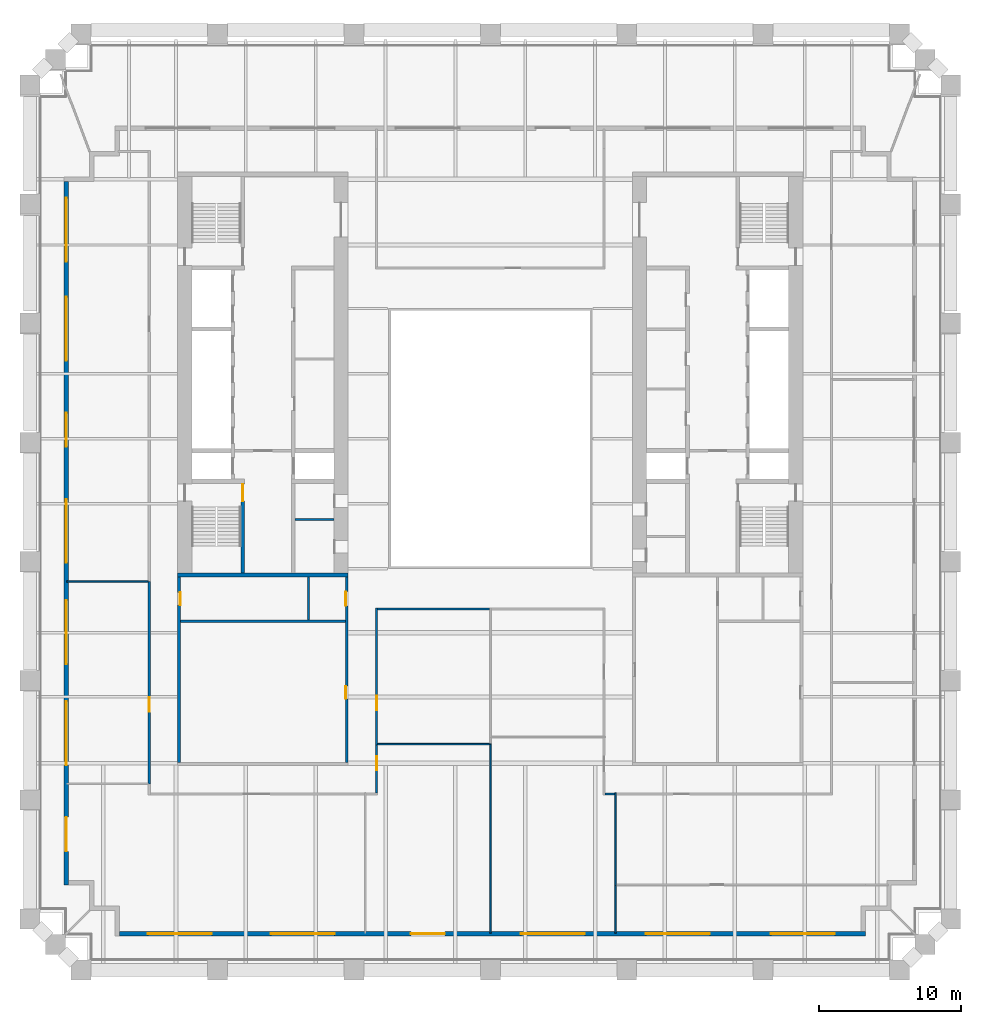
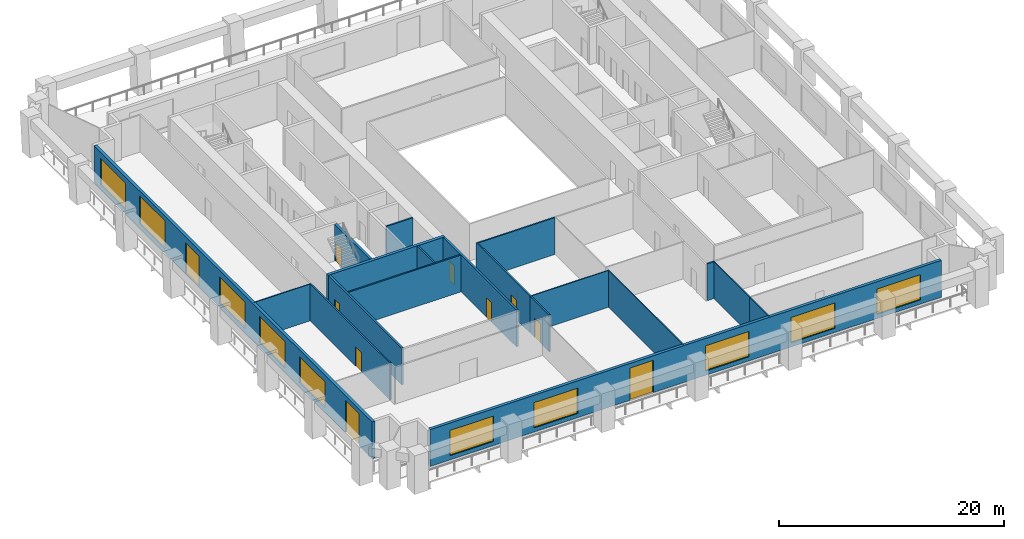
# One storey, part 3 of 8: 19 walls, 10 doors, 10 windows, 20 openings.
"""IFC4 building model written with IfcOpenShell, lengths in metres."""

from ifc_helpers import new_model, si_unit, direction, frame, frame_2d, origin, place, context, subcontext, project, spatial, rectangle, extrude, material, layer, layer_set, type_object, element, fill, save


model = new_model("IFC4")

# Units and contexts
model_context = context("Model", 3, precision=1e-05, world=origin(), true_north=direction((0.0, 1.0)))
body_context = subcontext(model_context, "Body", "Model", "MODEL_VIEW")
ifc_project = project(units=[si_unit("LENGTHUNIT", "METRE"), si_unit("AREAUNIT", "SQUARE_METRE"), si_unit("VOLUMEUNIT", "CUBIC_METRE"), si_unit("PLANEANGLEUNIT", "RADIAN"), si_unit("MASSUNIT", "GRAM", prefix="KILO")], contexts=[model_context])

# Site, building, storey
site_placement = place(None, origin())
site = spatial("IfcSite", under=ifc_project, at=site_placement, CompositionType="ELEMENT")
building_placement = place(site_placement, origin())
building = spatial("IfcBuilding", under=site, at=building_placement, Name="Ogive Exchange Tower", CompositionType="ELEMENT")
storey_placement = place(building_placement, frame((0.0, 0.0, 77.39990234375)))
storey = spatial("IfcBuildingStorey", under=building, at=storey_placement, Name="L16", CompositionType="ELEMENT", Elevation=77.39990234375)

# Walls
ifc_material_1 = material(Name="Gypsum board partition")
ifc_layer_1 = layer(ifc_material_1, 0.14990234375)
ifc_layer_set_1 = layer_set([ifc_layer_1], Name="Core room partition 150 gypsum")
wall_type_1 = type_object("IfcWallType", Name="Core room partition 150 gypsum", PredefinedType="PARTITIONING", material=ifc_layer_set_1)
wall_1_placement = place(storey_placement, frame((-13.75, 1.300048828125, 0.0), z_axis=(0.0, 0.0, 1.0), x_axis=(1.0, 0.0, 0.0)))
element("IfcWall", 1, at=wall_1_placement, inside=storey, type_object=wall_type_1, Name="W south room partition", PredefinedType="PARTITIONING", context=body_context, shape_type="SweptSolid", body=[
    extrude(rectangle(XDim=2.75, YDim=0.14990234375, at=frame_2d((1.375, 0.0))), origin(), (0.0, 0.0, 1.0), 4.0),
])
wall_2_placement = place(storey_placement, frame((-21.800048828125, -5.85009765625, 0.0), z_axis=(0.0, 0.0, 1.0), x_axis=(1.0, 0.0, 0.0)))
element("IfcWall", 2, at=wall_2_placement, inside=storey, type_object=wall_type_1, Name="W annex S wc strip wall 00", PredefinedType="PARTITIONING", context=body_context, shape_type="SweptSolid", body=[
    extrude(rectangle(XDim=11.60009765625, YDim=0.14990234375, at=frame_2d((5.800048828125, 0.0))), origin(), (0.0, 0.0, 1.0), 4.0),
])
wall_3_placement = place(storey_placement, frame((-12.800048828125, -5.77490234375, 0.0), z_axis=(0.0, 0.0, 1.0), x_axis=(0.0, 1.0, 0.0)))
element("IfcWall", 3, at=wall_3_placement, inside=storey, type_object=wall_type_1, Name="W annex S wc partition 00", PredefinedType="PARTITIONING", context=body_context, shape_type="SweptSolid", body=[
    extrude(rectangle(XDim=3.02490234375, YDim=0.14990234375, at=frame_2d((1.512451171875, 0.0))), origin(), (0.0, 0.0, 1.0), 4.0),
])

# Wall, opening, door
ifc_material_2 = material(Name="Fire partition EI 60 150")
ifc_layer_2 = layer(ifc_material_2, 0.14990234375)
ifc_layer_set_2 = layer_set([ifc_layer_2], Name="Fire partition EI 60 150")
wall_type_2 = type_object("IfcWallType", Name="Fire partition EI 60 150", PredefinedType="PARTITIONING", material=ifc_layer_set_2)
wall_4_placement = place(storey_placement, frame((-24.0, -17.2900390625, 0.0), z_axis=(0.0, 0.0, 1.0), x_axis=(0.0, 1.0, 0.0)))
wall_4 = element("IfcWall", 4, at=wall_4_placement, inside=storey, type_object=wall_type_2, Name="L16-PWL-003", PredefinedType="PARTITIONING", context=body_context, shape_type="SweptSolid", body=[
    extrude(rectangle(XDim=14.22998046875, YDim=0.14990234375, at=frame_2d((7.114990234375, 0.0))), origin(), (0.0, 0.0, 1.0), 4.0),
])
opening_1_placement = place(wall_4_placement, frame((5.080078125, 0.0, 0.0)))
opening_1 = element("IfcOpeningElement", 5, at=opening_1_placement, cuts=wall_4, Name="Opening L16-I11", PredefinedType="OPENING", context=body_context, shape_type="SweptSolid", body=[
    extrude(rectangle(XDim=1.0, YDim=2.10009765625, at=frame_2d((0.5, 1.050048828125))), frame((0.0, 0.0849609375, 0.0), z_axis=(0.0, -1.0, 0.0), x_axis=(1.0, 0.0, 0.0)), (0.0, 0.0, 1.0), 0.169921875),
])
ifc_material_3 = material(Name="Fire door FD 30S 1000 x 2100")
door_type_1 = type_object("IfcDoorType", Name="Fire door FD 30S 1000 x 2100", OperationType="NOTDEFINED", PredefinedType="DOOR", material=ifc_material_3)
door_1_placement = place(opening_1_placement, origin())
door_1 = element("IfcDoor", 6, at=door_1_placement, inside=storey, type_object=door_type_1, Name="L16-IDR-011", ObjectType="DT3", OperationType="SINGLE_SWING_LEFT", OverallHeight=2.10009765625, OverallWidth=1.0, PredefinedType="DOOR", context=body_context, shape_type="SweptSolid", body=[
    extrude(rectangle(XDim=1.0, YDim=2.10009765625, at=frame_2d((0.5, 1.050048828125))), frame((0.0, 0.02490234375, 0.0), z_axis=(0.0, -1.0, 0.0), x_axis=(1.0, 0.0, 0.0)), (0.0, 0.0, 1.0), 0.050048828125),
])
fill(opening_1, door_1)

wall_5_placement = place(storey_placement, frame((-8.0, -14.550048828125, 0.0), z_axis=(0.0, 0.0, 1.0), x_axis=(0.0, -1.0, 0.0)))
wall_5 = element("IfcWall", 7, at=wall_5_placement, inside=storey, type_object=wall_type_2, Name="L16-PWL-011", PredefinedType="PARTITIONING", context=body_context, shape_type="SweptSolid", body=[
    extrude(rectangle(XDim=3.375, YDim=0.14990234375, at=frame_2d((1.6875, 0.0))), origin(), (0.0, 0.0, 1.0), 4.0),
])
opening_2_placement = place(wall_5_placement, frame((0.800048828125, 0.0, 0.0)))
opening_2 = element("IfcOpeningElement", 8, at=opening_2_placement, cuts=wall_5, Name="Opening L16-I08", PredefinedType="OPENING", context=body_context, shape_type="SweptSolid", body=[
    extrude(rectangle(XDim=1.0, YDim=2.10009765625, at=frame_2d((0.5, 1.050048828125))), frame((0.0, 0.0849609375, 0.0), z_axis=(0.0, -1.0, 0.0), x_axis=(1.0, 0.0, 0.0)), (0.0, 0.0, 1.0), 0.169921875),
])
door_2_placement = place(opening_2_placement, origin())
door_2 = element("IfcDoor", 9, at=door_2_placement, inside=storey, type_object=door_type_1, Name="L16-IDR-008", ObjectType="DT3", OperationType="SINGLE_SWING_RIGHT", OverallHeight=2.10009765625, OverallWidth=1.0, PredefinedType="DOOR", context=body_context, shape_type="SweptSolid", body=[
    extrude(rectangle(XDim=1.0, YDim=2.10009765625, at=frame_2d((0.5, 1.050048828125))), frame((0.0, 0.02490234375, 0.0), z_axis=(0.0, -1.0, 0.0), x_axis=(1.0, 0.0, 0.0)), (0.0, 0.0, 1.0), 0.050048828125),
])
fill(opening_2, door_2)

wall_6_placement = place(storey_placement, frame((-8.0, -4.925048828125, 0.0), z_axis=(0.0, 0.0, 1.0), x_axis=(0.0, -1.0, 0.0)))
wall_6 = element("IfcWall", 10, at=wall_6_placement, inside=storey, type_object=wall_type_2, Name="L16-PWL-012", PredefinedType="PARTITIONING", context=body_context, shape_type="SweptSolid", body=[
    extrude(rectangle(XDim=9.625, YDim=0.14990234375, at=frame_2d((4.8125, 0.0))), origin(), (0.0, 0.0, 1.0), 4.0),
])
opening_3_placement = place(wall_6_placement, frame((6.175048828125, 0.0, 0.0)))
opening_3 = element("IfcOpeningElement", 11, at=opening_3_placement, cuts=wall_6, Name="Opening L16-I07", PredefinedType="OPENING", context=body_context, shape_type="SweptSolid", body=[
    extrude(rectangle(XDim=1.0, YDim=2.10009765625, at=frame_2d((0.5, 1.050048828125))), frame((0.0, 0.0849609375, 0.0), z_axis=(0.0, -1.0, 0.0), x_axis=(1.0, 0.0, 0.0)), (0.0, 0.0, 1.0), 0.169921875),
])
door_3_placement = place(opening_3_placement, origin())
door_3 = element("IfcDoor", 12, at=door_3_placement, inside=storey, type_object=door_type_1, Name="L16-IDR-007", ObjectType="DT3", OperationType="SINGLE_SWING_LEFT", OverallHeight=2.10009765625, OverallWidth=1.0, PredefinedType="DOOR", context=body_context, shape_type="SweptSolid", body=[
    extrude(rectangle(XDim=1.0, YDim=2.10009765625, at=frame_2d((0.5, 1.050048828125))), frame((0.0, 0.02490234375, 0.0), z_axis=(0.0, -1.0, 0.0), x_axis=(1.0, 0.0, 0.0)), (0.0, 0.0, 1.0), 0.050048828125),
])
fill(opening_3, door_3)

# Walls
wall_7_placement = place(storey_placement, frame((-0.050048828125, -5.0, 0.0), z_axis=(0.0, 0.0, 1.0), x_axis=(-1.0, 0.0, 0.0)))
element("IfcWall", 13, at=wall_7_placement, inside=storey, type_object=wall_type_2, Name="L16-PWL-020", PredefinedType="PARTITIONING", context=body_context, shape_type="SweptSolid", body=[
    extrude(rectangle(XDim=7.875, YDim=0.14990234375, at=frame_2d((3.9375, 0.0))), origin(), (0.0, 0.0, 1.0), 4.0),
])
wall_8_placement = place(storey_placement, frame((8.75, -18.0, 0.0), z_axis=(0.0, 0.0, 1.0), x_axis=(-1.0, 0.0, 0.0)))
element("IfcWall", 14, at=wall_8_placement, inside=storey, type_object=wall_type_2, Name="L16-PWL-029", PredefinedType="PARTITIONING", context=body_context, shape_type="SweptSolid", body=[
    extrude(rectangle(XDim=0.675048828125, YDim=0.14990234375, at=frame_2d((0.33740234375, 0.0))), origin(), (0.0, 0.0, 1.0), 4.0),
])

# Wall, openings, door, windows
ifc_material_4 = material(Name="Precast concrete C40/50", Category="concrete")
ifc_layer_3 = layer(ifc_material_4, 0.300048828125)
ifc_layer_set_3 = layer_set([ifc_layer_3], Name="Limestone-faced wall 300")
wall_type_3 = type_object("IfcWallType", Name="Limestone-faced wall 300", PredefinedType="STANDARD", material=ifc_layer_set_3)
wall_9_placement = place(storey_placement, frame((-26.10009765625, -27.85009765625, 0.0), z_axis=(0.0, 0.0, 1.0), x_axis=(1.0, 0.0, 0.0)))
wall_9 = element("IfcWall", 15, at=wall_9_placement, inside=storey, type_object=wall_type_3, Name="External wall S1", PredefinedType="STANDARD", context=body_context, shape_type="SweptSolid", body=[
    extrude(rectangle(XDim=52.5, YDim=0.300048828125, at=frame_2d((26.25, 0.0))), origin(), (0.0, 0.0, 1.0), 4.0),
])
opening_4_placement = place(wall_9_placement, frame((2.0, 0.0, 0.449951171875)))
opening_4 = element("IfcOpeningElement", 16, at=opening_4_placement, cuts=wall_9, Name="Opening W1H", PredefinedType="OPENING", context=body_context, shape_type="SweptSolid", body=[
    extrude(rectangle(XDim=4.5, YDim=2.75, at=frame_2d((2.25, 1.375))), frame((0.0, 0.159912109375, 0.0), z_axis=(0.0, -1.0, 0.0), x_axis=(1.0, 0.0, 0.0)), (0.0, 0.0, 1.0), 0.320068359375),
])
opening_5_placement = place(wall_9_placement, frame((10.64990234375, 0.0, 0.449951171875)))
opening_5 = element("IfcOpeningElement", 17, at=opening_5_placement, cuts=wall_9, Name="Opening W1H", PredefinedType="OPENING", context=body_context, shape_type="SweptSolid", body=[
    extrude(rectangle(XDim=4.5, YDim=2.75, at=frame_2d((2.25, 1.375))), frame((0.0, 0.159912109375, 0.0), z_axis=(0.0, -1.0, 0.0), x_axis=(1.0, 0.0, 0.0)), (0.0, 0.0, 1.0), 0.320068359375),
])
opening_6_placement = place(wall_9_placement, frame((20.5, 0.0, 0.0)))
opening_6 = element("IfcOpeningElement", 18, at=opening_6_placement, cuts=wall_9, Name="Opening D1", PredefinedType="OPENING", context=body_context, shape_type="SweptSolid", body=[
    extrude(rectangle(XDim=2.39990234375, YDim=3.5, at=frame_2d((1.199951171875, 1.75))), frame((0.0, 0.159912109375, 0.0), z_axis=(0.0, -1.0, 0.0), x_axis=(1.0, 0.0, 0.0)), (0.0, 0.0, 1.0), 0.320068359375),
])
opening_7_placement = place(wall_9_placement, frame((28.25, 0.0, 0.449951171875)))
opening_7 = element("IfcOpeningElement", 19, at=opening_7_placement, cuts=wall_9, Name="Opening W1H", PredefinedType="OPENING", context=body_context, shape_type="SweptSolid", body=[
    extrude(rectangle(XDim=4.5, YDim=2.75, at=frame_2d((2.25, 1.375))), frame((0.0, 0.159912109375, 0.0), z_axis=(0.0, -1.0, 0.0), x_axis=(1.0, 0.0, 0.0)), (0.0, 0.0, 1.0), 0.320068359375),
])
opening_8_placement = place(wall_9_placement, frame((37.050048828125, 0.0, 0.449951171875)))
opening_8 = element("IfcOpeningElement", 20, at=opening_8_placement, cuts=wall_9, Name="Opening W1H", PredefinedType="OPENING", context=body_context, shape_type="SweptSolid", body=[
    extrude(rectangle(XDim=4.5, YDim=2.75, at=frame_2d((2.25, 1.375))), frame((0.0, 0.159912109375, 0.0), z_axis=(0.0, -1.0, 0.0), x_axis=(1.0, 0.0, 0.0)), (0.0, 0.0, 1.0), 0.320068359375),
])
opening_9_placement = place(wall_9_placement, frame((45.85009765625, 0.0, 0.449951171875)))
opening_9 = element("IfcOpeningElement", 21, at=opening_9_placement, cuts=wall_9, Name="Opening W1H", PredefinedType="OPENING", context=body_context, shape_type="SweptSolid", body=[
    extrude(rectangle(XDim=4.5, YDim=2.75, at=frame_2d((2.25, 1.375))), frame((0.0, 0.159912109375, 0.0), z_axis=(0.0, -1.0, 0.0), x_axis=(1.0, 0.0, 0.0)), (0.0, 0.0, 1.0), 0.320068359375),
])
ifc_material_5 = material(Name="Clear glass in bronze frame", Category="glass")
door_type_2 = type_object("IfcDoorType", Name="Sliding loggia door 2400 x 3500", OperationType="DOUBLE_DOOR_SLIDING", PredefinedType="DOOR", material=ifc_material_5)
door_4_placement = place(opening_6_placement, origin())
door_4 = element("IfcDoor", 22, at=door_4_placement, inside=storey, type_object=door_type_2, Name="Loggia door S02", OperationType="DOUBLE_DOOR_SLIDING", OverallHeight=3.5, OverallWidth=2.39990234375, PredefinedType="DOOR", context=body_context, shape_type="SweptSolid", body=[
    extrude(rectangle(XDim=2.39990234375, YDim=3.5, at=frame_2d((1.199951171875, 1.75))), frame((0.0, 0.02490234375, 0.0), z_axis=(0.0, -1.0, 0.0), x_axis=(1.0, 0.0, 0.0)), (0.0, 0.0, 1.0), 0.050048828125),
])
fill(opening_6, door_4)
window_type_1 = type_object("IfcWindowType", Name="Twin lancet window 4500 x 2750", PartitioningType="DOUBLE_PANEL_VERTICAL", PredefinedType="WINDOW", material=ifc_material_5)
window_1_placement = place(opening_4_placement, origin())
window_1 = element("IfcWindow", 23, at=window_1_placement, inside=storey, type_object=window_type_1, Name="Window S00", OverallHeight=2.75, OverallWidth=4.5, PartitioningType="DOUBLE_PANEL_VERTICAL", PredefinedType="WINDOW", context=body_context, shape_type="SweptSolid", body=[
    extrude(rectangle(XDim=4.5, YDim=2.75, at=frame_2d((2.25, 1.375))), frame((0.0, 0.030029296875, 0.0), z_axis=(0.0, -1.0, 0.0), x_axis=(1.0, 0.0, 0.0)), (0.0, 0.0, 1.0), 0.06005859375),
])
fill(opening_4, window_1)
window_2_placement = place(opening_5_placement, origin())
window_2 = element("IfcWindow", 24, at=window_2_placement, inside=storey, type_object=window_type_1, Name="Window S01", OverallHeight=2.75, OverallWidth=4.5, PartitioningType="DOUBLE_PANEL_VERTICAL", PredefinedType="WINDOW", context=body_context, shape_type="SweptSolid", body=[
    extrude(rectangle(XDim=4.5, YDim=2.75, at=frame_2d((2.25, 1.375))), frame((0.0, 0.030029296875, 0.0), z_axis=(0.0, -1.0, 0.0), x_axis=(1.0, 0.0, 0.0)), (0.0, 0.0, 1.0), 0.06005859375),
])
fill(opening_5, window_2)
window_3_placement = place(opening_7_placement, origin())
window_3 = element("IfcWindow", 25, at=window_3_placement, inside=storey, type_object=window_type_1, Name="Window S03", OverallHeight=2.75, OverallWidth=4.5, PartitioningType="DOUBLE_PANEL_VERTICAL", PredefinedType="WINDOW", context=body_context, shape_type="SweptSolid", body=[
    extrude(rectangle(XDim=4.5, YDim=2.75, at=frame_2d((2.25, 1.375))), frame((0.0, 0.030029296875, 0.0), z_axis=(0.0, -1.0, 0.0), x_axis=(1.0, 0.0, 0.0)), (0.0, 0.0, 1.0), 0.06005859375),
])
fill(opening_7, window_3)
window_4_placement = place(opening_8_placement, origin())
window_4 = element("IfcWindow", 26, at=window_4_placement, inside=storey, type_object=window_type_1, Name="Window S04", OverallHeight=2.75, OverallWidth=4.5, PartitioningType="DOUBLE_PANEL_VERTICAL", PredefinedType="WINDOW", context=body_context, shape_type="SweptSolid", body=[
    extrude(rectangle(XDim=4.5, YDim=2.75, at=frame_2d((2.25, 1.375))), frame((0.0, 0.030029296875, 0.0), z_axis=(0.0, -1.0, 0.0), x_axis=(1.0, 0.0, 0.0)), (0.0, 0.0, 1.0), 0.06005859375),
])
fill(opening_8, window_4)
window_5_placement = place(opening_9_placement, origin())
window_5 = element("IfcWindow", 27, at=window_5_placement, inside=storey, type_object=window_type_1, Name="Window S05", OverallHeight=2.75, OverallWidth=4.5, PartitioningType="DOUBLE_PANEL_VERTICAL", PredefinedType="WINDOW", context=body_context, shape_type="SweptSolid", body=[
    extrude(rectangle(XDim=4.5, YDim=2.75, at=frame_2d((2.25, 1.375))), frame((0.0, 0.030029296875, 0.0), z_axis=(0.0, -1.0, 0.0), x_axis=(1.0, 0.0, 0.0)), (0.0, 0.0, 1.0), 0.06005859375),
])
fill(opening_9, window_5)

# Wall, openings, doors, windows
wall_10_placement = place(storey_placement, frame((-29.85009765625, 25.10009765625, 0.0), z_axis=(0.0, 0.0, 1.0), x_axis=(0.0, -1.0, 0.0)))
wall_10 = element("IfcWall", 28, at=wall_10_placement, inside=storey, type_object=wall_type_3, Name="External wall W4", PredefinedType="STANDARD", context=body_context, shape_type="SweptSolid", body=[
    extrude(rectangle(XDim=49.5, YDim=0.300048828125, at=frame_2d((24.75, 0.0))), origin(), (0.0, 0.0, 1.0), 4.0),
])
opening_10_placement = place(wall_10_placement, frame((1.156982421875, 0.0, 0.449951171875)))
opening_10 = element("IfcOpeningElement", 29, at=opening_10_placement, cuts=wall_10, Name="Opening W1D", PredefinedType="OPENING", context=body_context, shape_type="SweptSolid", body=[
    extrude(rectangle(XDim=4.5, YDim=2.875, at=frame_2d((2.25, 1.4375))), frame((0.0, 0.159912109375, 0.0), z_axis=(0.0, -1.0, 0.0), x_axis=(1.0, 0.0, 0.0)), (0.0, 0.0, 1.0), 0.320068359375),
])
opening_11_placement = place(wall_10_placement, frame((8.121337890625, 0.0, 0.449951171875)))
opening_11 = element("IfcOpeningElement", 30, at=opening_11_placement, cuts=wall_10, Name="Opening W1", PredefinedType="OPENING", context=body_context, shape_type="SweptSolid", body=[
    extrude(rectangle(XDim=4.5, YDim=3.050048828125, at=frame_2d((2.25, 1.52490234375))), frame((0.0, 0.159912109375, 0.0), z_axis=(0.0, -1.0, 0.0), x_axis=(1.0, 0.0, 0.0)), (0.0, 0.0, 1.0), 0.320068359375),
])
opening_12_placement = place(wall_10_placement, frame((16.28564453125, 0.0, 0.0)))
opening_12 = element("IfcOpeningElement", 31, at=opening_12_placement, cuts=wall_10, Name="Opening D1C", PredefinedType="OPENING", context=body_context, shape_type="SweptSolid", body=[
    extrude(rectangle(XDim=2.39990234375, YDim=3.324951171875, at=frame_2d((1.199951171875, 1.66259765625))), frame((0.0, 0.159912109375, 0.0), z_axis=(0.0, -1.0, 0.0), x_axis=(1.0, 0.0, 0.0)), (0.0, 0.0, 1.0), 0.320068359375),
])
opening_13_placement = place(wall_10_placement, frame((22.35009765625, 0.0, 0.449951171875)))
opening_13 = element("IfcOpeningElement", 32, at=opening_13_placement, cuts=wall_10, Name="Opening W1D", PredefinedType="OPENING", context=body_context, shape_type="SweptSolid", body=[
    extrude(rectangle(XDim=4.5, YDim=2.875, at=frame_2d((2.25, 1.4375))), frame((0.0, 0.159912109375, 0.0), z_axis=(0.0, -1.0, 0.0), x_axis=(1.0, 0.0, 0.0)), (0.0, 0.0, 1.0), 0.320068359375),
])
opening_14_placement = place(wall_10_placement, frame((29.464111328125, 0.0, 0.449951171875)))
opening_14 = element("IfcOpeningElement", 33, at=opening_14_placement, cuts=wall_10, Name="Opening W1D", PredefinedType="OPENING", context=body_context, shape_type="SweptSolid", body=[
    extrude(rectangle(XDim=4.5, YDim=2.875, at=frame_2d((2.25, 1.4375))), frame((0.0, 0.159912109375, 0.0), z_axis=(0.0, -1.0, 0.0), x_axis=(1.0, 0.0, 0.0)), (0.0, 0.0, 1.0), 0.320068359375),
])
opening_15_placement = place(wall_10_placement, frame((36.57861328125, 0.0, 0.449951171875)))
opening_15 = element("IfcOpeningElement", 34, at=opening_15_placement, cuts=wall_10, Name="Opening W1E", PredefinedType="OPENING", context=body_context, shape_type="SweptSolid", body=[
    extrude(rectangle(XDim=4.5, YDim=2.824951171875, at=frame_2d((2.25, 1.41259765625))), frame((0.0, 0.159912109375, 0.0), z_axis=(0.0, -1.0, 0.0), x_axis=(1.0, 0.0, 0.0)), (0.0, 0.0, 1.0), 0.320068359375),
])
opening_16_placement = place(wall_10_placement, frame((44.742919921875, 0.0, 0.0)))
opening_16 = element("IfcOpeningElement", 35, at=opening_16_placement, cuts=wall_10, Name="Opening D1", PredefinedType="OPENING", context=body_context, shape_type="SweptSolid", body=[
    extrude(rectangle(XDim=2.39990234375, YDim=3.5, at=frame_2d((1.199951171875, 1.75))), frame((0.0, 0.159912109375, 0.0), z_axis=(0.0, -1.0, 0.0), x_axis=(1.0, 0.0, 0.0)), (0.0, 0.0, 1.0), 0.320068359375),
])
door_type_3 = type_object("IfcDoorType", Name="Sliding loggia door 2400 x 3325", OperationType="DOUBLE_DOOR_SLIDING", PredefinedType="DOOR", material=ifc_material_5)
door_5_placement = place(opening_12_placement, origin())
door_5 = element("IfcDoor", 36, at=door_5_placement, inside=storey, type_object=door_type_3, Name="Loggia door W02", OperationType="DOUBLE_DOOR_SLIDING", OverallHeight=3.324951171875, OverallWidth=2.39990234375, PredefinedType="DOOR", context=body_context, shape_type="SweptSolid", body=[
    extrude(rectangle(XDim=2.39990234375, YDim=3.324951171875, at=frame_2d((1.199951171875, 1.66259765625))), frame((0.0, 0.02490234375, 0.0), z_axis=(0.0, -1.0, 0.0), x_axis=(1.0, 0.0, 0.0)), (0.0, 0.0, 1.0), 0.050048828125),
])
fill(opening_12, door_5)
door_6_placement = place(opening_16_placement, origin())
door_6 = element("IfcDoor", 37, at=door_6_placement, inside=storey, type_object=door_type_2, Name="Loggia door W06", OperationType="DOUBLE_DOOR_SLIDING", OverallHeight=3.5, OverallWidth=2.39990234375, PredefinedType="DOOR", context=body_context, shape_type="SweptSolid", body=[
    extrude(rectangle(XDim=2.39990234375, YDim=3.5, at=frame_2d((1.199951171875, 1.75))), frame((0.0, 0.02490234375, 0.0), z_axis=(0.0, -1.0, 0.0), x_axis=(1.0, 0.0, 0.0)), (0.0, 0.0, 1.0), 0.050048828125),
])
fill(opening_16, door_6)
window_type_2 = type_object("IfcWindowType", Name="Twin lancet window 4500 x 2825", PartitioningType="DOUBLE_PANEL_VERTICAL", PredefinedType="WINDOW", material=ifc_material_5)
window_6_placement = place(opening_15_placement, origin())
window_6 = element("IfcWindow", 38, at=window_6_placement, inside=storey, type_object=window_type_2, Name="Window W05", OverallHeight=2.824951171875, OverallWidth=4.5, PartitioningType="DOUBLE_PANEL_VERTICAL", PredefinedType="WINDOW", context=body_context, shape_type="SweptSolid", body=[
    extrude(rectangle(XDim=4.5, YDim=2.824951171875, at=frame_2d((2.25, 1.41259765625))), frame((0.0, 0.030029296875, 0.0), z_axis=(0.0, -1.0, 0.0), x_axis=(1.0, 0.0, 0.0)), (0.0, 0.0, 1.0), 0.06005859375),
])
fill(opening_15, window_6)
window_type_3 = type_object("IfcWindowType", Name="Twin lancet window 4500 x 2875", PartitioningType="DOUBLE_PANEL_VERTICAL", PredefinedType="WINDOW", material=ifc_material_5)
window_7_placement = place(opening_10_placement, origin())
window_7 = element("IfcWindow", 39, at=window_7_placement, inside=storey, type_object=window_type_3, Name="Window W00", OverallHeight=2.875, OverallWidth=4.5, PartitioningType="DOUBLE_PANEL_VERTICAL", PredefinedType="WINDOW", context=body_context, shape_type="SweptSolid", body=[
    extrude(rectangle(XDim=4.5, YDim=2.875, at=frame_2d((2.25, 1.4375))), frame((0.0, 0.030029296875, 0.0), z_axis=(0.0, -1.0, 0.0), x_axis=(1.0, 0.0, 0.0)), (0.0, 0.0, 1.0), 0.06005859375),
])
fill(opening_10, window_7)
window_8_placement = place(opening_13_placement, origin())
window_8 = element("IfcWindow", 40, at=window_8_placement, inside=storey, type_object=window_type_3, Name="Window W03", OverallHeight=2.875, OverallWidth=4.5, PartitioningType="DOUBLE_PANEL_VERTICAL", PredefinedType="WINDOW", context=body_context, shape_type="SweptSolid", body=[
    extrude(rectangle(XDim=4.5, YDim=2.875, at=frame_2d((2.25, 1.4375))), frame((0.0, 0.030029296875, 0.0), z_axis=(0.0, -1.0, 0.0), x_axis=(1.0, 0.0, 0.0)), (0.0, 0.0, 1.0), 0.06005859375),
])
fill(opening_13, window_8)
window_9_placement = place(opening_14_placement, origin())
window_9 = element("IfcWindow", 41, at=window_9_placement, inside=storey, type_object=window_type_3, Name="Window W04", OverallHeight=2.875, OverallWidth=4.5, PartitioningType="DOUBLE_PANEL_VERTICAL", PredefinedType="WINDOW", context=body_context, shape_type="SweptSolid", body=[
    extrude(rectangle(XDim=4.5, YDim=2.875, at=frame_2d((2.25, 1.4375))), frame((0.0, 0.030029296875, 0.0), z_axis=(0.0, -1.0, 0.0), x_axis=(1.0, 0.0, 0.0)), (0.0, 0.0, 1.0), 0.06005859375),
])
fill(opening_14, window_9)
window_type_4 = type_object("IfcWindowType", Name="Twin lancet window 4500 x 3050", PartitioningType="DOUBLE_PANEL_VERTICAL", PredefinedType="WINDOW", material=ifc_material_5)
window_10_placement = place(opening_11_placement, origin())
window_10 = element("IfcWindow", 42, at=window_10_placement, inside=storey, type_object=window_type_4, Name="Window W01", OverallHeight=3.050048828125, OverallWidth=4.5, PartitioningType="DOUBLE_PANEL_VERTICAL", PredefinedType="WINDOW", context=body_context, shape_type="SweptSolid", body=[
    extrude(rectangle(XDim=4.5, YDim=3.050048828125, at=frame_2d((2.25, 1.52490234375))), frame((0.0, 0.030029296875, 0.0), z_axis=(0.0, -1.0, 0.0), x_axis=(1.0, 0.0, 0.0)), (0.0, 0.0, 1.0), 0.06005859375),
])
fill(opening_11, window_10)

# Walls
ifc_material_6 = material(Name="Partition 100 gypsum")
ifc_layer_4 = layer(ifc_material_6, 0.10009765625)
ifc_layer_set_4 = layer_set([ifc_layer_4], Name="Partition 100 gypsum")
wall_type_4 = type_object("IfcWallType", Name="Partition 100 gypsum", PredefinedType="PARTITIONING", material=ifc_layer_set_4)
wall_11_placement = place(storey_placement, frame((-24.074951171875, -3.06005859375, 0.0), z_axis=(0.0, 0.0, 1.0), x_axis=(-1.0, 0.0, 0.0)))
element("IfcWall", 43, at=wall_11_placement, inside=storey, type_object=wall_type_4, Name="L16-PWL-004", PredefinedType="PARTITIONING", context=body_context, shape_type="SweptSolid", body=[
    extrude(rectangle(XDim=5.72509765625, YDim=0.10009765625, at=frame_2d((2.862548828125, 0.0))), origin(), (0.0, 0.0, 1.0), 4.0),
])
wall_12_placement = place(storey_placement, frame((0.0, -27.800048828125, 0.0), z_axis=(0.0, 0.0, 1.0), x_axis=(0.0, 1.0, 0.0)))
element("IfcWall", 44, at=wall_12_placement, inside=storey, type_object=wall_type_4, Name="L16-PWL-015", PredefinedType="PARTITIONING", context=body_context, shape_type="SweptSolid", body=[
    extrude(rectangle(XDim=13.35009765625, YDim=0.10009765625, at=frame_2d((6.675048828125, 0.0))), origin(), (0.0, 0.0, 1.0), 4.0),
])
wall_13_placement = place(storey_placement, frame((-0.050048828125, -14.5, 0.0), z_axis=(0.0, 0.0, 1.0), x_axis=(-1.0, 0.0, 0.0)))
element("IfcWall", 45, at=wall_13_placement, inside=storey, type_object=wall_type_4, Name="L16-PWL-016", PredefinedType="PARTITIONING", context=body_context, shape_type="SweptSolid", body=[
    extrude(rectangle(XDim=7.875, YDim=0.10009765625, at=frame_2d((3.9375, 0.0))), origin(), (0.0, 0.0, 1.0), 4.0),
])
wall_14_placement = place(storey_placement, frame((8.800048828125, -27.800048828125, 0.0), z_axis=(0.0, 0.0, 1.0), x_axis=(0.0, 1.0, 0.0)))
element("IfcWall", 46, at=wall_14_placement, inside=storey, type_object=wall_type_4, Name="L16-PWL-026", PredefinedType="PARTITIONING", context=body_context, shape_type="SweptSolid", body=[
    extrude(rectangle(XDim=3.35009765625, YDim=0.10009765625, at=frame_2d((1.675048828125, 0.0))), origin(), (0.0, 0.0, 1.0), 4.0),
])
wall_15_placement = place(storey_placement, frame((8.800048828125, -24.449951171875, 0.0), z_axis=(0.0, 0.0, 1.0), x_axis=(0.0, 1.0, 0.0)))
element("IfcWall", 47, at=wall_15_placement, inside=storey, type_object=wall_type_4, Name="L16-PWL-027", PredefinedType="PARTITIONING", context=body_context, shape_type="SweptSolid", body=[
    extrude(rectangle(XDim=6.52490234375, YDim=0.10009765625, at=frame_2d((3.262451171875, 0.0))), origin(), (0.0, 0.0, 1.0), 4.0),
])

# Wall, opening, door
ifc_material_7 = material(Name="Concrete C70/85", Category="concrete")
ifc_layer_5 = layer(ifc_material_7, 0.199951171875)
ifc_layer_set_5 = layer_set([ifc_layer_5], Name="RC core wall 200 C70/85")
wall_type_5 = type_object("IfcWallType", Name="RC core wall 200 C70/85", PredefinedType="SHEAR", material=ifc_layer_set_5)
wall_16_placement = place(storey_placement, frame((-21.89990234375, -15.800048828125, 0.0), z_axis=(0.0, 0.0, 1.0), x_axis=(0.0, 1.0, 0.0)))
wall_16 = element("IfcWall", 48, at=wall_16_placement, inside=storey, type_object=wall_type_5, Name="W annex S outer wall", PredefinedType="SHEAR", context=body_context, shape_type="SweptSolid", body=[
    extrude(rectangle(XDim=13.050048828125, YDim=0.199951171875, at=frame_2d((6.52490234375, 0.0))), origin(), (0.0, 0.0, 1.0), 4.0),
])
opening_17_placement = place(wall_16_placement, frame((11.08740234375, 0.0, 0.0)))
opening_17 = element("IfcOpeningElement", 49, at=opening_17_placement, cuts=wall_16, Name="Opening L16-C21", PredefinedType="OPENING", context=body_context, shape_type="SweptSolid", body=[
    extrude(rectangle(XDim=0.89990234375, YDim=2.10009765625, at=frame_2d((0.449951171875, 1.050048828125))), frame((0.0, 0.10986328125, 0.0), z_axis=(0.0, -1.0, 0.0), x_axis=(1.0, 0.0, 0.0)), (0.0, 0.0, 1.0), 0.219970703125),
])
ifc_material_8 = material(Name="Timber fire door", Category="wood")
door_type_4 = type_object("IfcDoorType", Name="Core room door FD30S 900 x 2100", OperationType="NOTDEFINED", PredefinedType="DOOR", material=ifc_material_8)
door_7_placement = place(opening_17_placement, frame((0.89990234375, -0.14990234375, 0.0), z_axis=(0.0, 0.0, 1.0), x_axis=(-1.0, 0.0, 0.0)))
door_7 = element("IfcDoor", 50, at=door_7_placement, inside=storey, type_object=door_type_4, Name="Core room door", ObjectType="CD6", OperationType="SINGLE_SWING_LEFT", OverallHeight=2.10009765625, OverallWidth=0.89990234375, PredefinedType="DOOR", context=body_context, shape_type="SweptSolid", body=[
    extrude(rectangle(XDim=0.89990234375, YDim=2.10009765625, at=frame_2d((0.449951171875, 1.050048828125))), frame((0.0, -0.0498046875, 0.0), z_axis=(0.0, -1.0, 0.0), x_axis=(1.0, 0.0, 0.0)), (0.0, 0.0, 1.0), 0.050048828125),
])
fill(opening_17, door_7)

# Wall, openings, doors
wall_17_placement = place(storey_placement, frame((-10.10009765625, -15.800048828125, 0.0), z_axis=(0.0, 0.0, 1.0), x_axis=(0.0, 1.0, 0.0)))
wall_17 = element("IfcWall", 51, at=wall_17_placement, inside=storey, type_object=wall_type_5, Name="W annex S inner wall", PredefinedType="SHEAR", context=body_context, shape_type="SweptSolid", body=[
    extrude(rectangle(XDim=13.050048828125, YDim=0.199951171875, at=frame_2d((6.52490234375, 0.0))), origin(), (0.0, 0.0, 1.0), 4.0),
])
opening_18_placement = place(wall_17_placement, frame((4.487548828125, 0.0, 0.0)))
opening_18 = element("IfcOpeningElement", 52, at=opening_18_placement, cuts=wall_17, Name="Opening L16-C19", PredefinedType="OPENING", context=body_context, shape_type="SweptSolid", body=[
    extrude(rectangle(XDim=0.89990234375, YDim=2.10009765625, at=frame_2d((0.449951171875, 1.050048828125))), frame((0.0, 0.10986328125, 0.0), z_axis=(0.0, -1.0, 0.0), x_axis=(1.0, 0.0, 0.0)), (0.0, 0.0, 1.0), 0.219970703125),
])
opening_19_placement = place(wall_17_placement, frame((11.03759765625, 0.0, 0.0)))
opening_19 = element("IfcOpeningElement", 53, at=opening_19_placement, cuts=wall_17, Name="Opening L16-C20", PredefinedType="OPENING", context=body_context, shape_type="SweptSolid", body=[
    extrude(rectangle(XDim=1.0, YDim=2.10009765625, at=frame_2d((0.5, 1.050048828125))), frame((0.0, 0.10986328125, 0.0), z_axis=(0.0, -1.0, 0.0), x_axis=(1.0, 0.0, 0.0)), (0.0, 0.0, 1.0), 0.219970703125),
])
door_type_5 = type_object("IfcDoorType", Name="Accessible WC door FD30S 1000 x 2100", OperationType="NOTDEFINED", PredefinedType="DOOR", material=ifc_material_8)
door_8_placement = place(opening_19_placement, origin())
door_8 = element("IfcDoor", 54, at=door_8_placement, inside=storey, type_object=door_type_5, Name="Accessible WC door", ObjectType="CD7", OperationType="SINGLE_SWING_RIGHT", OverallHeight=2.10009765625, OverallWidth=1.0, PredefinedType="DOOR", context=body_context, shape_type="SweptSolid", body=[
    extrude(rectangle(XDim=1.0, YDim=2.10009765625, at=frame_2d((0.5, 1.050048828125))), frame((0.0, 0.10009765625, 0.0), z_axis=(0.0, -1.0, 0.0), x_axis=(1.0, 0.0, 0.0)), (0.0, 0.0, 1.0), 0.050048828125),
])
fill(opening_19, door_8)
ifc_material_9 = material(Name="Steel fire door", Category="steel")
door_type_6 = type_object("IfcDoorType", Name="Riser door FD60 900 x 2100", OperationType="NOTDEFINED", PredefinedType="DOOR", material=ifc_material_9)
door_9_placement = place(opening_18_placement, origin())
door_9 = element("IfcDoor", 55, at=door_9_placement, inside=storey, type_object=door_type_6, Name="Riser door", ObjectType="CD2", OperationType="SINGLE_SWING_LEFT", OverallHeight=2.10009765625, OverallWidth=0.89990234375, PredefinedType="DOOR", context=body_context, shape_type="SweptSolid", body=[
    extrude(rectangle(XDim=0.89990234375, YDim=2.10009765625, at=frame_2d((0.449951171875, 1.050048828125))), frame((0.0, 0.10009765625, 0.0), z_axis=(0.0, -1.0, 0.0), x_axis=(1.0, 0.0, 0.0)), (0.0, 0.0, 1.0), 0.050048828125),
])
fill(opening_18, door_9)

# Wall, opening, door
ifc_layer_6 = layer(ifc_material_7, 0.25)
ifc_layer_set_6 = layer_set([ifc_layer_6], Name="RC core wall 250 C70/85")
wall_type_6 = type_object("IfcWallType", Name="RC core wall 250 C70/85", PredefinedType="SHEAR", material=ifc_layer_set_6)
wall_18_placement = place(storey_placement, frame((-17.425048828125, -2.449951171875, 0.0), z_axis=(0.0, 0.0, 1.0), x_axis=(0.0, 1.0, 0.0)))
wall_18 = element("IfcWall", 56, at=wall_18_placement, inside=storey, type_object=wall_type_6, Name="W stair S front wall", PredefinedType="SHEAR", context=body_context, shape_type="SweptSolid", body=[
    extrude(rectangle(XDim=6.300048828125, YDim=0.25, at=frame_2d((3.14990234375, 0.0))), origin(), (0.0, 0.0, 1.0), 4.0),
])
opening_20_placement = place(wall_18_placement, frame((5.050048828125, 0.0, 0.0)))
opening_20 = element("IfcOpeningElement", 57, at=opening_20_placement, cuts=wall_18, Name="Opening L16-C13", PredefinedType="OPENING", context=body_context, shape_type="SweptSolid", body=[
    extrude(rectangle(XDim=1.199951171875, YDim=2.10009765625, at=frame_2d((0.60009765625, 1.050048828125))), frame((0.0, 0.135009765625, 0.0), z_axis=(0.0, -1.0, 0.0), x_axis=(1.0, 0.0, 0.0)), (0.0, 0.0, 1.0), 0.27001953125),
])
door_type_7 = type_object("IfcDoorType", Name="Stair door FD90 1200 x 2100", OperationType="NOTDEFINED", PredefinedType="DOOR", material=ifc_material_9)
door_10_placement = place(opening_20_placement, origin())
door_10 = element("IfcDoor", 58, at=door_10_placement, inside=storey, type_object=door_type_7, Name="Stair door", ObjectType="CD5", OperationType="SINGLE_SWING_LEFT", OverallHeight=2.10009765625, OverallWidth=1.199951171875, PredefinedType="DOOR", context=body_context, shape_type="SweptSolid", body=[
    extrude(rectangle(XDim=1.199951171875, YDim=2.10009765625, at=frame_2d((0.60009765625, 1.050048828125))), frame((0.0, 0.02490234375, 0.0), z_axis=(0.0, -1.0, 0.0), x_axis=(1.0, 0.0, 0.0)), (0.0, 0.0, 1.0), 0.050048828125),
])
fill(opening_20, door_10)

# Wall
ifc_layer_7 = layer(ifc_material_7, 0.300048828125)
ifc_layer_set_7 = layer_set([ifc_layer_7], Name="RC core wall 300 C70/85")
wall_type_7 = type_object("IfcWallType", Name="RC core wall 300 C70/85", PredefinedType="SHEAR", material=ifc_layer_set_7)
wall_19_placement = place(storey_placement, frame((-22.0, -2.60009765625, 0.0), z_axis=(0.0, 0.0, 1.0), x_axis=(1.0, 0.0, 0.0)))
element("IfcWall", 59, at=wall_19_placement, inside=storey, type_object=wall_type_7, Name="W south end wall", PredefinedType="SHEAR", context=body_context, shape_type="SweptSolid", body=[
    extrude(rectangle(XDim=12.0, YDim=0.300048828125, at=frame_2d((6.0, 0.0))), origin(), (0.0, 0.0, 1.0), 4.0),
])

save(model, "model.ifc")
